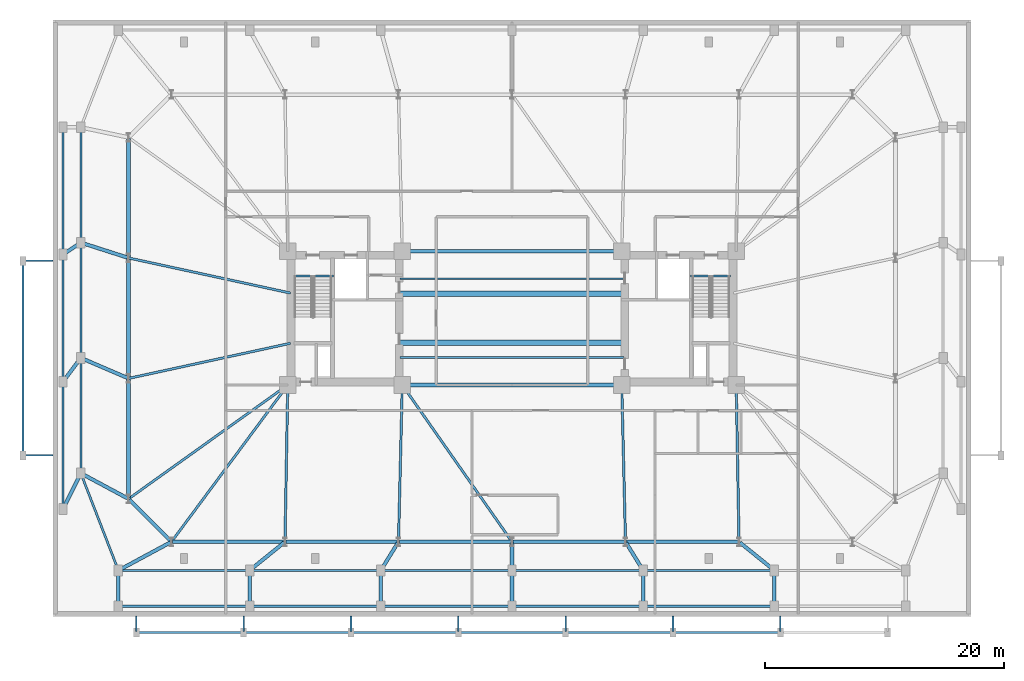
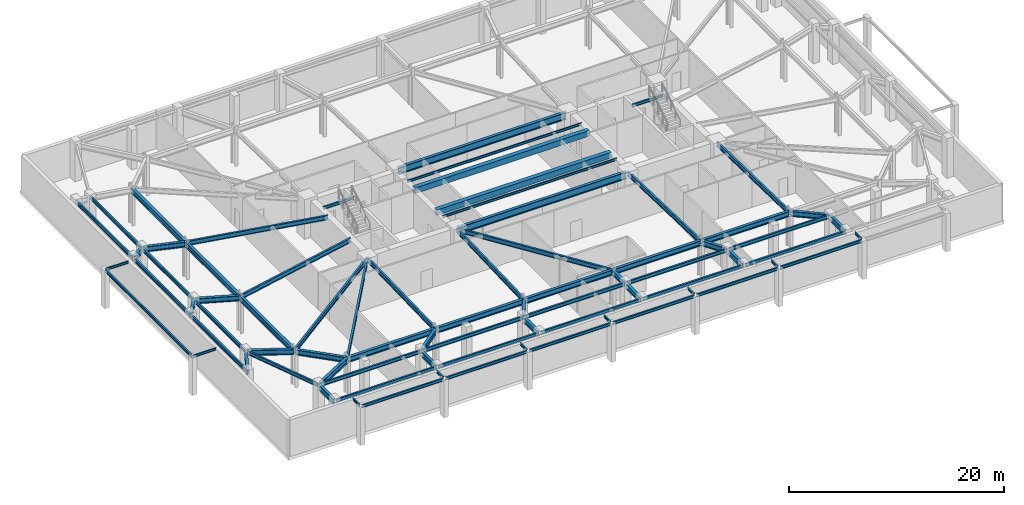
# One storey, part 5 of 14: 77 beams.
"""IFC4 building model written with IfcOpenShell, lengths in metres."""

from ifc_helpers import new_model, si_unit, direction, frame, origin, origin_2d, place, context, subcontext, project, spatial, rectangle, i_section, extrude, material, material_profile, profile_set, type_object, element, save


model = new_model("IFC4")

# Units and contexts
model_context = context("Model", 3, precision=1e-05, world=origin(), true_north=direction((0.0, 1.0)))
body_context = subcontext(model_context, "Body", "Model", "MODEL_VIEW")
ifc_project = project(units=[si_unit("LENGTHUNIT", "METRE"), si_unit("AREAUNIT", "SQUARE_METRE"), si_unit("VOLUMEUNIT", "CUBIC_METRE"), si_unit("PLANEANGLEUNIT", "RADIAN"), si_unit("MASSUNIT", "GRAM", prefix="KILO")], contexts=[model_context])

# Site, building, storey
site_placement = place(None, origin())
site = spatial("IfcSite", under=ifc_project, at=site_placement, CompositionType="ELEMENT")
building_placement = place(site_placement, origin())
building = spatial("IfcBuilding", under=site, at=building_placement, Name="Qobustan Lattice House", CompositionType="ELEMENT")
storey_placement = place(building_placement, frame((0.0, 0.0, -4.5)))
storey = spatial("IfcBuildingStorey", under=building, at=storey_placement, Name="B01", CompositionType="ELEMENT", Elevation=-4.5)

# Beams
ifc_material_1 = material(Name="Steel S355", Category="steel")
ifc_material_profile_1 = material_profile(ifc_material_1, i_section(OverallWidth=0.199951171875, OverallDepth=0.5, WebThickness=0.01025390625, FlangeThickness=0.01611328125, FilletRadius=0.02099609375, at=origin_2d()), Name="IPE500")
ifc_profile_set_1 = profile_set([ifc_material_profile_1], Name="Steel S355")
beam_type_1 = type_object("IfcBeamType", Name="BM-FLG-IPE500", PredefinedType="USERDEFINED", material=ifc_profile_set_1)
beam_1_placement = place(storey_placement, frame((-28.53515625, -18.72998046875, 3.909912109375), z_axis=(0.5955916815, 0.803287338956, 0.0), x_axis=(-0.803287338956, 0.5955916815, 0.0)))
element("IfcBeam", 1, at=beam_1_placement, inside=storey, type_object=beam_type_1, Name="B01 primary floor girder RAD-S1W", ObjectType="GIRDER", PredefinedType="USERDEFINED", context=body_context, shape_type="SweptSolid", body=[
    extrude(i_section(OverallWidth=0.199951171875, OverallDepth=0.5, WebThickness=0.01025390625, FlangeThickness=0.01611328125, FilletRadius=0.02099609375, at=origin_2d()), origin(), (0.0, 0.0, 1.0), 16.3203125),
])
beam_2_placement = place(storey_placement, frame((-19.032958984375, -18.72509765625, 3.909912109375), z_axis=(0.017757831607, 0.999842317276, 0.0), x_axis=(-0.999842317276, 0.017757831607, 0.0)))
element("IfcBeam", 2, at=beam_2_placement, inside=storey, type_object=beam_type_1, Name="B01 primary floor girder RAD-S2", ObjectType="GIRDER", PredefinedType="USERDEFINED", context=body_context, shape_type="SweptSolid", body=[
    extrude(i_section(OverallWidth=0.199951171875, OverallDepth=0.5, WebThickness=0.01025390625, FlangeThickness=0.01611328125, FilletRadius=0.02099609375, at=origin_2d()), origin(), (0.0, 0.0, 1.0), 13.10205078125),
])
beam_3_placement = place(storey_placement, frame((-9.51611328125, -18.72509765625, 3.909912109375), z_axis=(0.024071445657, 0.999710240772, 0.0), x_axis=(-0.999710240772, 0.024071445657, 0.0)))
element("IfcBeam", 3, at=beam_3_placement, inside=storey, type_object=beam_type_1, Name="B01 primary floor girder RAD-S3", ObjectType="GIRDER", PredefinedType="USERDEFINED", context=body_context, shape_type="SweptSolid", body=[
    extrude(i_section(OverallWidth=0.199951171875, OverallDepth=0.5, WebThickness=0.01025390625, FlangeThickness=0.01611328125, FilletRadius=0.02099609375, at=origin_2d()), origin(), (0.0, 0.0, 1.0), 13.10400390625),
])
beam_4_placement = place(storey_placement, frame((-0.014404296875, -18.7294921875, 3.909912109375), z_axis=(-0.57325954206, 0.819373844736, 0.0), x_axis=(-0.819373844736, -0.57325954206, 0.0)))
element("IfcBeam", 4, at=beam_4_placement, inside=storey, type_object=beam_type_1, Name="B01 primary floor girder RAD-S4", ObjectType="GIRDER", PredefinedType="USERDEFINED", context=body_context, shape_type="SweptSolid", body=[
    extrude(i_section(OverallWidth=0.199951171875, OverallDepth=0.5, WebThickness=0.01025390625, FlangeThickness=0.01611328125, FilletRadius=0.02099609375, at=origin_2d()), origin(), (0.0, 0.0, 1.0), 15.998779296875),
])
beam_5_placement = place(storey_placement, frame((9.51611328125, -18.72509765625, 3.909912109375), z_axis=(-0.024071445657, 0.999710240772, 0.0), x_axis=(-0.999710240772, -0.024071445657, 0.0)))
element("IfcBeam", 5, at=beam_5_placement, inside=storey, type_object=beam_type_1, Name="B01 primary floor girder RAD-S5", ObjectType="GIRDER", PredefinedType="USERDEFINED", context=body_context, shape_type="SweptSolid", body=[
    extrude(i_section(OverallWidth=0.199951171875, OverallDepth=0.5, WebThickness=0.01025390625, FlangeThickness=0.01611328125, FilletRadius=0.02099609375, at=origin_2d()), origin(), (0.0, 0.0, 1.0), 13.10400390625),
])
beam_6_placement = place(storey_placement, frame((19.032958984375, -18.72509765625, 3.909912109375), z_axis=(-0.017757831607, 0.999842317276, 0.0), x_axis=(-0.999842317276, -0.017757831607, 0.0)))
element("IfcBeam", 6, at=beam_6_placement, inside=storey, type_object=beam_type_1, Name="B01 primary floor girder RAD-S6", ObjectType="GIRDER", PredefinedType="USERDEFINED", context=body_context, shape_type="SweptSolid", body=[
    extrude(i_section(OverallWidth=0.199951171875, OverallDepth=0.5, WebThickness=0.01025390625, FlangeThickness=0.01611328125, FilletRadius=0.02099609375, at=origin_2d()), origin(), (0.0, 0.0, 1.0), 13.10205078125),
])
for number, where, z_axis, x_axis, name in (
    (7, (-32.12548828125, 5.044677734375, 3.909912109375), (0.97727240275, -0.211987383643, 0.0), (0.211987383643, 0.97727240275, 0.0), "B01 primary floor girder RAD-W2"),
    (8, (-32.12548828125, -5.044677734375, 3.909912109375), (0.97727240275, 0.211987383643, 0.0), (-0.211987383643, 0.97727240275, 0.0), "B01 primary floor girder RAD-W3"),
):
    element("IfcBeam", number, at=place(storey_placement, frame(where, z_axis=z_axis, x_axis=x_axis)), inside=storey, type_object=beam_type_1, Name=name, ObjectType="GIRDER", PredefinedType="USERDEFINED", context=body_context, shape_type="SweptSolid", body=[
        extrude(i_section(OverallWidth=0.199951171875, OverallDepth=0.5, WebThickness=0.01025390625, FlangeThickness=0.01611328125, FilletRadius=0.02099609375, at=origin_2d()), origin(), (0.0, 0.0, 1.0), 13.8662109375),
    ])
beam_7_placement = place(storey_placement, frame((-32.129638671875, -15.135498046875, 3.909912109375), z_axis=(0.813318954893, 0.581818079481, 0.0), x_axis=(-0.581818079481, 0.813318954893, 0.0)))
element("IfcBeam", 9, at=beam_7_placement, inside=storey, type_object=beam_type_1, Name="B01 primary floor girder RAD-W4", ObjectType="GIRDER", PredefinedType="USERDEFINED", context=body_context, shape_type="SweptSolid", body=[
    extrude(i_section(OverallWidth=0.199951171875, OverallDepth=0.5, WebThickness=0.01025390625, FlangeThickness=0.01611328125, FilletRadius=0.02099609375, at=origin_2d()), origin(), (0.0, 0.0, 1.0), 16.3642578125),
])
ifc_material_2 = material(Name="Steel S355", Category="steel")
ifc_material_profile_2 = material_profile(ifc_material_2, i_section(OverallWidth=0.135009765625, OverallDepth=0.27001953125, WebThickness=0.006591796875, FlangeThickness=0.01025390625, FilletRadius=0.014892578125, at=origin_2d()), Name="IPE270")
ifc_profile_set_2 = profile_set([ifc_material_profile_2], Name="Steel S355")
beam_type_2 = type_object("IfcBeamType", Name="BM-JST-IPE270", PredefinedType="JOIST", material=ifc_profile_set_2)
for number, where, z_axis, x_axis, name in (
    (10, (-9.39990234375, -3.300048828125, 4.02490234375), (1.0, 0.0, 0.0), (0.0, 1.0, 0.0), "B01 central span floor joist 1"),
    (11, (-9.39990234375, 3.300048828125, 4.02490234375), (1.0, 0.0, 0.0), (0.0, 1.0, 0.0), "B01 central span floor joist 2"),
):
    element("IfcBeam", number, at=place(storey_placement, frame(where, z_axis=z_axis, x_axis=x_axis)), inside=storey, type_object=beam_type_2, Name=name, PredefinedType="JOIST", context=body_context, shape_type="SweptSolid", body=[
        extrude(i_section(OverallWidth=0.135009765625, OverallDepth=0.27001953125, WebThickness=0.006591796875, FlangeThickness=0.01025390625, FilletRadius=0.014892578125, at=origin_2d()), origin(), (0.0, 0.0, 1.0), 18.7998046875),
    ])
for number, where, z_axis, x_axis, name in (
    (12, (-31.5, -26.25, 4.1650390625), (0.0, 1.0, 0.0), (-1.0, 0.0, 0.0), "B01 colonnade transverse beam 1"),
    (13, (-22.5, -26.25, 4.1650390625), (0.0, 1.0, 0.0), (-1.0, 0.0, 0.0), "B01 colonnade transverse beam 2"),
    (14, (-13.5, -26.25, 4.1650390625), (0.0, 1.0, 0.0), (-1.0, 0.0, 0.0), "B01 colonnade transverse beam 3"),
    (15, (-4.5, -26.25, 4.1650390625), (0.0, 1.0, 0.0), (-1.0, 0.0, 0.0), "B01 colonnade transverse beam 4"),
    (16, (4.5, -26.25, 4.1650390625), (0.0, 1.0, 0.0), (-1.0, 0.0, 0.0), "B01 colonnade transverse beam 5"),
    (17, (13.5, -26.25, 4.1650390625), (0.0, 1.0, 0.0), (-1.0, 0.0, 0.0), "B01 colonnade transverse beam 6"),
    (18, (22.5, -26.25, 4.1650390625), (0.0, 1.0, 0.0), (-1.0, 0.0, 0.0), "B01 colonnade transverse beam 7"),
):
    element("IfcBeam", number, at=place(storey_placement, frame(where, z_axis=z_axis, x_axis=x_axis)), inside=storey, type_object=beam_type_2, Name=name, PredefinedType="JOIST", context=body_context, shape_type="SweptSolid", body=[
        extrude(i_section(OverallWidth=0.135009765625, OverallDepth=0.27001953125, WebThickness=0.006591796875, FlangeThickness=0.01025390625, FilletRadius=0.014892578125, at=origin_2d()), origin(), (0.0, 0.0, 1.0), 1.27001953125),
    ])
for number, where, z_axis, x_axis, name in (
    (19, (-41.0, -11.5, 4.1650390625), (1.0, 0.0, 0.0), (0.0, 1.0, 0.0), "B01 W arrival portico tie beam 1"),
    (20, (-41.0, 4.800048828125, 4.1650390625), (1.0, 0.0, 0.0), (0.0, 1.0, 0.0), "B01 W arrival portico tie beam 2"),
):
    element("IfcBeam", number, at=place(storey_placement, frame(where, z_axis=z_axis, x_axis=x_axis)), inside=storey, type_object=beam_type_2, Name=name, PredefinedType="JOIST", context=body_context, shape_type="SweptSolid", body=[
        extrude(i_section(OverallWidth=0.135009765625, OverallDepth=0.27001953125, WebThickness=0.006591796875, FlangeThickness=0.01025390625, FilletRadius=0.014892578125, at=origin_2d()), origin(), (0.0, 0.0, 1.0), 2.52001953125),
    ])
ifc_material_3 = material(Name="Concrete C50/60", Category="concrete")
ifc_material_profile_3 = material_profile(ifc_material_3, rectangle(XDim=0.449951171875, YDim=0.64990234375, at=origin_2d()), Name="RC450x650")
ifc_profile_set_3 = profile_set([ifc_material_profile_3], Name="Concrete C50/60")
beam_type_3 = type_object("IfcBeamType", Name="BM-LINTEL-450x650", PredefinedType="LINTEL", material=ifc_profile_set_3)
for number, where, z_axis, x_axis, name in (
    (21, (-9.39990234375, -2.050048828125, 3.8349609375), (1.0, 0.0, 0.0), (0.0, 1.0, 0.0), "B01 reinforced concrete portal lintel LN-W1"),
    (22, (-9.39990234375, 2.050048828125, 3.8349609375), (1.0, 0.0, 0.0), (0.0, 1.0, 0.0), "B01 reinforced concrete portal lintel LN-E1"),
):
    element("IfcBeam", number, at=place(storey_placement, frame(where, z_axis=z_axis, x_axis=x_axis)), inside=storey, type_object=beam_type_3, Name=name, PredefinedType="LINTEL", context=body_context, shape_type="SweptSolid", body=[
        extrude(rectangle(XDim=0.449951171875, YDim=0.64990234375, at=origin_2d()), origin(), (0.0, 0.0, 1.0), 18.7998046875),
    ])
ifc_material_4 = material(Name="Steel S355", Category="steel")
ifc_material_profile_4 = material_profile(ifc_material_4, i_section(OverallWidth=0.300048828125, OverallDepth=0.60009765625, WebThickness=0.015380859375, FlangeThickness=0.030029296875, FilletRadius=0.027099609375, at=origin_2d()), Name="HEB600")
ifc_profile_set_4 = profile_set([ifc_material_profile_4], Name="Steel S355")
beam_type_4 = type_object("IfcBeamType", Name="BM-POD-HEB600", PredefinedType="USERDEFINED", material=ifc_profile_set_4)
for number, where, z_axis, x_axis, name in (
    (23, (-33.0, -24.030029296875, 3.860107421875), (0.0, 1.0, 0.0), (-1.0, 0.0, 0.0), "B01 south terrace tie girder 1"),
    (24, (-22.0, -24.030029296875, 3.860107421875), (0.0, 1.0, 0.0), (-1.0, 0.0, 0.0), "B01 south terrace tie girder 2"),
    (25, (-11.0, -24.030029296875, 3.860107421875), (0.0, 1.0, 0.0), (-1.0, 0.0, 0.0), "B01 south terrace tie girder 3"),
    (26, (0.0, -24.030029296875, 3.860107421875), (0.0, 1.0, 0.0), (-1.0, 0.0, 0.0), "B01 south terrace tie girder 4"),
    (27, (11.0, -24.030029296875, 3.860107421875), (0.0, 1.0, 0.0), (-1.0, 0.0, 0.0), "B01 south terrace tie girder 5"),
    (28, (22.0, -24.030029296875, 3.860107421875), (0.0, 1.0, 0.0), (-1.0, 0.0, 0.0), "B01 south terrace tie girder 6"),
):
    element("IfcBeam", number, at=place(storey_placement, frame(where, z_axis=z_axis, x_axis=x_axis)), inside=storey, type_object=beam_type_4, Name=name, ObjectType="GIRDER", PredefinedType="USERDEFINED", context=body_context, shape_type="SweptSolid", body=[
        extrude(i_section(OverallWidth=0.300048828125, OverallDepth=0.60009765625, WebThickness=0.015380859375, FlangeThickness=0.030029296875, FilletRadius=0.027099609375, at=origin_2d()), origin(), (0.0, 0.0, 1.0), 2.760009765625),
    ])
beam_8_placement = place(storey_placement, frame((-37.59619140625, -15.892578125, 3.860107421875), z_axis=(0.4472135955, 0.894427191, 0.0), x_axis=(-0.894427191, 0.4472135955, 0.0)))
element("IfcBeam", 29, at=beam_8_placement, inside=storey, type_object=beam_type_4, Name="B01 setback tie girder PWL1", ObjectType="GIRDER", PredefinedType="USERDEFINED", context=body_context, shape_type="SweptSolid", body=[
    extrude(i_section(OverallWidth=0.300048828125, OverallDepth=0.60009765625, WebThickness=0.015380859375, FlangeThickness=0.030029296875, FilletRadius=0.027099609375, at=origin_2d()), origin(), (0.0, 0.0, 1.0), 3.114013671875),
])
beam_9_placement = place(storey_placement, frame((-37.577880859375, -5.2373046875, 3.860107421875), z_axis=(0.599965431752, 0.800025925019, 0.0), x_axis=(-0.800025925019, 0.599965431752, 0.0)))
element("IfcBeam", 30, at=beam_9_placement, inside=storey, type_object=beam_type_4, Name="B01 setback tie girder PWL2", ObjectType="GIRDER", PredefinedType="USERDEFINED", context=body_context, shape_type="SweptSolid", body=[
    extrude(i_section(OverallWidth=0.300048828125, OverallDepth=0.60009765625, WebThickness=0.015380859375, FlangeThickness=0.030029296875, FilletRadius=0.027099609375, at=origin_2d()), origin(), (0.0, 0.0, 1.0), 2.260009765625),
])
beam_10_placement = place(storey_placement, frame((-37.55029296875, 5.39990234375, 3.860107421875), z_axis=(0.832074324237, 0.554664149684, 0.0), x_axis=(-0.554664149684, 0.832074324237, 0.0)))
element("IfcBeam", 31, at=beam_10_placement, inside=storey, type_object=beam_type_4, Name="B01 setback tie girder PWL3", ObjectType="GIRDER", PredefinedType="USERDEFINED", context=body_context, shape_type="SweptSolid", body=[
    extrude(i_section(OverallWidth=0.300048828125, OverallDepth=0.60009765625, WebThickness=0.015380859375, FlangeThickness=0.030029296875, FilletRadius=0.027099609375, at=origin_2d()), origin(), (0.0, 0.0, 1.0), 1.56298828125),
])
for number, where, z_axis, x_axis, name in (
    (32, (-28.449951171875, -18.75, 3.860107421875), (1.0, 0.0, 0.0), (0.0, 1.0, 0.0), "B01 tower base ring girder S1-S2"),
    (33, (-18.933349609375, -18.75, 3.860107421875), (1.0, 0.0, 0.0), (0.0, 1.0, 0.0), "B01 tower base ring girder S2-S3"),
    (34, (-9.416748046875, -18.75, 3.860107421875), (1.0, 0.0, 0.0), (0.0, 1.0, 0.0), "B01 tower base ring girder S3-S4"),
    (35, (0.10009765625, -18.75, 3.860107421875), (1.0, 0.0, 0.0), (0.0, 1.0, 0.0), "B01 tower base ring girder S4-S5"),
    (36, (9.61669921875, -18.75, 3.860107421875), (1.0, 0.0, 0.0), (0.0, 1.0, 0.0), "B01 tower base ring girder S5-S6"),
):
    element("IfcBeam", number, at=place(storey_placement, frame(where, z_axis=z_axis, x_axis=x_axis)), inside=storey, type_object=beam_type_4, Name=name, ObjectType="GIRDER", PredefinedType="USERDEFINED", context=body_context, shape_type="SweptSolid", body=[
        extrude(i_section(OverallWidth=0.300048828125, OverallDepth=0.60009765625, WebThickness=0.015380859375, FlangeThickness=0.030029296875, FilletRadius=0.027099609375, at=origin_2d()), origin(), (0.0, 0.0, 1.0), 9.316650390625),
    ])
beam_11_placement = place(storey_placement, frame((-32.14990234375, 15.050048828125, 3.860107421875), z_axis=(0.0, -1.0, 0.0), x_axis=(1.0, 0.0, 0.0)))
element("IfcBeam", 37, at=beam_11_placement, inside=storey, type_object=beam_type_4, Name="B01 tower base ring girder W1-W2", ObjectType="GIRDER", PredefinedType="USERDEFINED", context=body_context, shape_type="SweptSolid", body=[
    extrude(i_section(OverallWidth=0.300048828125, OverallDepth=0.60009765625, WebThickness=0.015380859375, FlangeThickness=0.030029296875, FilletRadius=0.027099609375, at=origin_2d()), origin(), (0.0, 0.0, 1.0), 9.900146484375),
])
beam_12_placement = place(storey_placement, frame((-32.14990234375, 4.949951171875, 3.860107421875), z_axis=(0.0, -1.0, 0.0), x_axis=(1.0, 0.0, 0.0)))
element("IfcBeam", 38, at=beam_12_placement, inside=storey, type_object=beam_type_4, Name="B01 tower base ring girder W2-W3", ObjectType="GIRDER", PredefinedType="USERDEFINED", context=body_context, shape_type="SweptSolid", body=[
    extrude(i_section(OverallWidth=0.300048828125, OverallDepth=0.60009765625, WebThickness=0.015380859375, FlangeThickness=0.030029296875, FilletRadius=0.027099609375, at=origin_2d()), origin(), (0.0, 0.0, 1.0), 9.89990234375),
])
beam_13_placement = place(storey_placement, frame((-32.14990234375, -5.14990234375, 3.860107421875), z_axis=(0.0, -1.0, 0.0), x_axis=(1.0, 0.0, 0.0)))
element("IfcBeam", 39, at=beam_13_placement, inside=storey, type_object=beam_type_4, Name="B01 tower base ring girder W3-W4", ObjectType="GIRDER", PredefinedType="USERDEFINED", context=body_context, shape_type="SweptSolid", body=[
    extrude(i_section(OverallWidth=0.300048828125, OverallDepth=0.60009765625, WebThickness=0.015380859375, FlangeThickness=0.030029296875, FilletRadius=0.027099609375, at=origin_2d()), origin(), (0.0, 0.0, 1.0), 9.900146484375),
])
beam_14_placement = place(storey_placement, frame((-32.079345703125, -15.220703125, 3.860107421875), z_axis=(0.70713173775, -0.707081823743, 0.0), x_axis=(0.707081823743, 0.70713173775, 0.0)))
element("IfcBeam", 40, at=beam_14_placement, inside=storey, type_object=beam_type_4, Name="B01 tower base ring girder W4-S1", ObjectType="GIRDER", PredefinedType="USERDEFINED", context=body_context, shape_type="SweptSolid", body=[
    extrude(i_section(OverallWidth=0.300048828125, OverallDepth=0.60009765625, WebThickness=0.015380859375, FlangeThickness=0.030029296875, FilletRadius=0.027099609375, at=origin_2d()), origin(), (0.0, 0.0, 1.0), 4.89111328125),
])
beam_15_placement = place(storey_placement, frame((-32.894287109375, -21.093017578125, 3.860107421875), z_axis=(0.88016615165, 0.474665719732, 0.0), x_axis=(-0.474665719732, 0.88016615165, 0.0)))
element("IfcBeam", 41, at=beam_15_placement, inside=storey, type_object=beam_type_4, Name="B01 podium radial girder PS1", ObjectType="GIRDER", PredefinedType="USERDEFINED", context=body_context, shape_type="SweptSolid", body=[
    extrude(i_section(OverallWidth=0.300048828125, OverallDepth=0.60009765625, WebThickness=0.015380859375, FlangeThickness=0.030029296875, FilletRadius=0.027099609375, at=origin_2d()), origin(), (0.0, 0.0, 1.0), 4.8359375),
])
beam_16_placement = place(storey_placement, frame((-21.90673828125, -21.074462890625, 3.860107421875), z_axis=(0.777472502595, 0.62891693228, 0.0), x_axis=(-0.62891693228, 0.777472502595, 0.0)))
element("IfcBeam", 42, at=beam_16_placement, inside=storey, type_object=beam_type_4, Name="B01 podium radial girder PS2", ObjectType="GIRDER", PredefinedType="USERDEFINED", context=body_context, shape_type="SweptSolid", body=[
    extrude(i_section(OverallWidth=0.300048828125, OverallDepth=0.60009765625, WebThickness=0.015380859375, FlangeThickness=0.030029296875, FilletRadius=0.027099609375, at=origin_2d()), origin(), (0.0, 0.0, 1.0), 3.595703125),
])
beam_17_placement = place(storey_placement, frame((-10.93701171875, -21.0478515625, 3.860107421875), z_axis=(0.525782588011, 0.850618992349, 0.0), x_axis=(-0.850618992349, 0.525782588011, 0.0)))
element("IfcBeam", 43, at=beam_17_placement, inside=storey, type_object=beam_type_4, Name="B01 podium radial girder PS3", ObjectType="GIRDER", PredefinedType="USERDEFINED", context=body_context, shape_type="SweptSolid", body=[
    extrude(i_section(OverallWidth=0.300048828125, OverallDepth=0.60009765625, WebThickness=0.015380859375, FlangeThickness=0.030029296875, FilletRadius=0.027099609375, at=origin_2d()), origin(), (0.0, 0.0, 1.0), 2.601318359375),
])
beam_18_placement = place(storey_placement, frame((0.0, -21.030029296875, 3.860107421875), z_axis=(0.0, 1.0, 0.0), x_axis=(-1.0, 0.0, 0.0)))
element("IfcBeam", 44, at=beam_18_placement, inside=storey, type_object=beam_type_4, Name="B01 podium radial girder PS4", ObjectType="GIRDER", PredefinedType="USERDEFINED", context=body_context, shape_type="SweptSolid", body=[
    extrude(i_section(OverallWidth=0.300048828125, OverallDepth=0.60009765625, WebThickness=0.015380859375, FlangeThickness=0.030029296875, FilletRadius=0.027099609375, at=origin_2d()), origin(), (0.0, 0.0, 1.0), 2.179931640625),
])
beam_19_placement = place(storey_placement, frame((10.93701171875, -21.0478515625, 3.860107421875), z_axis=(-0.525782588011, 0.850618992349, 0.0), x_axis=(-0.850618992349, -0.525782588011, 0.0)))
element("IfcBeam", 45, at=beam_19_placement, inside=storey, type_object=beam_type_4, Name="B01 podium radial girder PS5", ObjectType="GIRDER", PredefinedType="USERDEFINED", context=body_context, shape_type="SweptSolid", body=[
    extrude(i_section(OverallWidth=0.300048828125, OverallDepth=0.60009765625, WebThickness=0.015380859375, FlangeThickness=0.030029296875, FilletRadius=0.027099609375, at=origin_2d()), origin(), (0.0, 0.0, 1.0), 2.601318359375),
])
beam_20_placement = place(storey_placement, frame((21.90673828125, -21.074462890625, 3.860107421875), z_axis=(-0.777472502595, 0.62891693228, 0.0), x_axis=(-0.62891693228, -0.777472502595, 0.0)))
element("IfcBeam", 46, at=beam_20_placement, inside=storey, type_object=beam_type_4, Name="B01 podium radial girder PS6", ObjectType="GIRDER", PredefinedType="USERDEFINED", context=body_context, shape_type="SweptSolid", body=[
    extrude(i_section(OverallWidth=0.300048828125, OverallDepth=0.60009765625, WebThickness=0.015380859375, FlangeThickness=0.030029296875, FilletRadius=0.027099609375, at=origin_2d()), origin(), (0.0, 0.0, 1.0), 3.595703125),
])
beam_21_placement = place(storey_placement, frame((-36.044189453125, -13.056884765625, 3.860107421875), z_axis=(0.880815561441, -0.473459551307, 0.0), x_axis=(0.473459551307, 0.880815561441, 0.0)))
element("IfcBeam", 47, at=beam_21_placement, inside=storey, type_object=beam_type_4, Name="B01 podium radial girder PW1", ObjectType="GIRDER", PredefinedType="USERDEFINED", context=body_context, shape_type="SweptSolid", body=[
    extrude(i_section(OverallWidth=0.300048828125, OverallDepth=0.60009765625, WebThickness=0.015380859375, FlangeThickness=0.030029296875, FilletRadius=0.027099609375, at=origin_2d()), origin(), (0.0, 0.0, 1.0), 4.3212890625),
])
beam_22_placement = place(storey_placement, frame((-36.039794921875, -3.380615234375, 3.860107421875), z_axis=(0.918949362679, -0.394375542893, 0.0), x_axis=(0.394375542893, 0.918949362679, 0.0)))
element("IfcBeam", 48, at=beam_22_placement, inside=storey, type_object=beam_type_4, Name="B01 podium radial girder PW2", ObjectType="GIRDER", PredefinedType="USERDEFINED", context=body_context, shape_type="SweptSolid", body=[
    extrude(i_section(OverallWidth=0.300048828125, OverallDepth=0.60009765625, WebThickness=0.015380859375, FlangeThickness=0.030029296875, FilletRadius=0.027099609375, at=origin_2d()), origin(), (0.0, 0.0, 1.0), 4.1328125),
])
beam_23_placement = place(storey_placement, frame((-36.03564453125, 6.296630859375, 3.860107421875), z_axis=(0.952198151545, -0.305481063561, 0.0), x_axis=(0.305481063561, 0.952198151545, 0.0)))
element("IfcBeam", 49, at=beam_23_placement, inside=storey, type_object=beam_type_4, Name="B01 podium radial girder PW3", ObjectType="GIRDER", PredefinedType="USERDEFINED", context=body_context, shape_type="SweptSolid", body=[
    extrude(i_section(OverallWidth=0.300048828125, OverallDepth=0.60009765625, WebThickness=0.015380859375, FlangeThickness=0.030029296875, FilletRadius=0.027099609375, at=origin_2d()), origin(), (0.0, 0.0, 1.0), 3.980712890625),
])
ifc_material_5 = material(Name="Steel S355", Category="steel")
ifc_material_profile_5 = material_profile(ifc_material_5, i_section(OverallWidth=0.159912109375, OverallDepth=0.330078125, WebThickness=0.007568359375, FlangeThickness=0.011474609375, FilletRadius=0.01806640625, at=origin_2d()), Name="IPE330")
ifc_profile_set_5 = profile_set([ifc_material_profile_5], Name="Steel S355")
beam_type_5 = type_object("IfcBeamType", Name="BM-SPD-IPE330", PredefinedType="SPANDREL", material=ifc_profile_set_5)
for number, where, z_axis, x_axis, name in (
    (50, (-18.300048828125, 3.52001953125, 3.9951171875), (1.0, 0.0, 0.0), (0.0, 1.0, 0.0), "B01 west stair landing trimmer beam"),
    (51, (14.949951171875, 3.52001953125, 3.9951171875), (1.0, 0.0, 0.0), (0.0, 1.0, 0.0), "B01 east stair landing trimmer beam"),
):
    element("IfcBeam", number, at=place(storey_placement, frame(where, z_axis=z_axis, x_axis=x_axis)), inside=storey, type_object=beam_type_5, Name=name, PredefinedType="SPANDREL", context=body_context, shape_type="SweptSolid", body=[
        extrude(i_section(OverallWidth=0.159912109375, OverallDepth=0.330078125, WebThickness=0.007568359375, FlangeThickness=0.011474609375, FilletRadius=0.01806640625, at=origin_2d()), origin(), (0.0, 0.0, 1.0), 3.35009765625),
    ])
for number, where, z_axis, x_axis, name in (
    (52, (-31.3798828125, -26.35009765625, 4.135009765625), (1.0, 0.0, 0.0), (0.0, 1.0, 0.0), "B01 colonnade edge beam 1"),
    (53, (-22.3798828125, -26.35009765625, 4.135009765625), (1.0, 0.0, 0.0), (0.0, 1.0, 0.0), "B01 colonnade edge beam 2"),
    (54, (-13.3798828125, -26.35009765625, 4.135009765625), (1.0, 0.0, 0.0), (0.0, 1.0, 0.0), "B01 colonnade edge beam 3"),
    (55, (-4.3798828125, -26.35009765625, 4.135009765625), (1.0, 0.0, 0.0), (0.0, 1.0, 0.0), "B01 colonnade edge beam 4"),
    (56, (4.6201171875, -26.35009765625, 4.135009765625), (1.0, 0.0, 0.0), (0.0, 1.0, 0.0), "B01 colonnade edge beam 5"),
    (57, (13.6201171875, -26.35009765625, 4.135009765625), (1.0, 0.0, 0.0), (0.0, 1.0, 0.0), "B01 colonnade edge beam 6"),
):
    element("IfcBeam", number, at=place(storey_placement, frame(where, z_axis=z_axis, x_axis=x_axis)), inside=storey, type_object=beam_type_5, Name=name, PredefinedType="SPANDREL", context=body_context, shape_type="SweptSolid", body=[
        extrude(i_section(OverallWidth=0.159912109375, OverallDepth=0.330078125, WebThickness=0.007568359375, FlangeThickness=0.011474609375, FilletRadius=0.01806640625, at=origin_2d()), origin(), (0.0, 0.0, 1.0), 8.759765625),
    ])
beam_24_placement = place(storey_placement, frame((-41.0, -11.39990234375, 4.135009765625), z_axis=(0.0, 1.0, 0.0), x_axis=(-1.0, 0.0, 0.0)))
element("IfcBeam", 58, at=beam_24_placement, inside=storey, type_object=beam_type_5, Name="B01 W arrival portico edge beam", PredefinedType="SPANDREL", context=body_context, shape_type="SweptSolid", body=[
    extrude(i_section(OverallWidth=0.159912109375, OverallDepth=0.330078125, WebThickness=0.007568359375, FlangeThickness=0.011474609375, FilletRadius=0.01806640625, at=origin_2d()), origin(), (0.0, 0.0, 1.0), 16.099853515625),
])
ifc_material_6 = material(Name="Steel S355", Category="steel")
ifc_material_profile_6 = material_profile(ifc_material_6, i_section(OverallWidth=0.179931640625, OverallDepth=0.39990234375, WebThickness=0.008544921875, FlangeThickness=0.013427734375, FilletRadius=0.02099609375, at=origin_2d()), Name="IPE400")
ifc_profile_set_6 = profile_set([ifc_material_profile_6], Name="Steel S355")
beam_type_6 = type_object("IfcBeamType", Name="BM-SPD-IPE400", PredefinedType="SPANDREL", material=ifc_profile_set_6)
for number, where, z_axis, x_axis, name in (
    (59, (-32.8798828125, -21.14990234375, 3.9599609375), (1.0, 0.0, 0.0), (0.0, 1.0, 0.0), "B01 podium spandrel PS1-PS2"),
    (60, (-21.8798828125, -21.14990234375, 3.9599609375), (1.0, 0.0, 0.0), (0.0, 1.0, 0.0), "B01 podium spandrel PS2-PS3"),
    (61, (-10.8798828125, -21.14990234375, 3.9599609375), (1.0, 0.0, 0.0), (0.0, 1.0, 0.0), "B01 podium spandrel PS3-PS4"),
    (62, (0.1201171875, -21.14990234375, 3.9599609375), (1.0, 0.0, 0.0), (0.0, 1.0, 0.0), "B01 podium spandrel PS4-PS5"),
    (63, (11.1201171875, -21.14990234375, 3.9599609375), (1.0, 0.0, 0.0), (0.0, 1.0, 0.0), "B01 podium spandrel PS5-PS6"),
):
    element("IfcBeam", number, at=place(storey_placement, frame(where, z_axis=z_axis, x_axis=x_axis)), inside=storey, type_object=beam_type_6, Name=name, PredefinedType="SPANDREL", context=body_context, shape_type="SweptSolid", body=[
        extrude(i_section(OverallWidth=0.179931640625, OverallDepth=0.39990234375, WebThickness=0.008544921875, FlangeThickness=0.013427734375, FilletRadius=0.02099609375, at=origin_2d()), origin(), (0.0, 0.0, 1.0), 10.759765625),
    ])
beam_25_placement = place(storey_placement, frame((-36.14990234375, -12.8798828125, 3.9599609375), z_axis=(0.0, 1.0, 0.0), x_axis=(-1.0, 0.0, 0.0)))
element("IfcBeam", 64, at=beam_25_placement, inside=storey, type_object=beam_type_6, Name="B01 podium spandrel PW1-PW2", PredefinedType="SPANDREL", context=body_context, shape_type="SweptSolid", body=[
    extrude(i_section(OverallWidth=0.179931640625, OverallDepth=0.39990234375, WebThickness=0.008544921875, FlangeThickness=0.013427734375, FilletRadius=0.02099609375, at=origin_2d()), origin(), (0.0, 0.0, 1.0), 9.426513671875),
])
for number, where, z_axis, x_axis, name in (
    (65, (-36.14990234375, -3.21337890625, 3.9599609375), (0.0, 1.0, 0.0), (-1.0, 0.0, 0.0), "B01 podium spandrel PW2-PW3"),
    (66, (-36.14990234375, 6.453369140625, 3.9599609375), (0.0, 1.0, 0.0), (-1.0, 0.0, 0.0), "B01 podium spandrel PW3-PW4"),
):
    element("IfcBeam", number, at=place(storey_placement, frame(where, z_axis=z_axis, x_axis=x_axis)), inside=storey, type_object=beam_type_6, Name=name, PredefinedType="SPANDREL", context=body_context, shape_type="SweptSolid", body=[
        extrude(i_section(OverallWidth=0.179931640625, OverallDepth=0.39990234375, WebThickness=0.008544921875, FlangeThickness=0.013427734375, FilletRadius=0.02099609375, at=origin_2d()), origin(), (0.0, 0.0, 1.0), 9.4267578125),
    ])
beam_26_placement = place(storey_placement, frame((-33.043212890625, -21.0380859375, 3.9599609375), z_axis=(-0.360507225068, 0.93275642087, 0.0), x_axis=(-0.93275642087, -0.360507225068, 0.0)))
element("IfcBeam", 67, at=beam_26_placement, inside=storey, type_object=beam_type_6, Name="B01 podium corner tie PS1-PW1", PredefinedType="SPANDREL", context=body_context, shape_type="SweptSolid", body=[
    extrude(i_section(OverallWidth=0.179931640625, OverallDepth=0.39990234375, WebThickness=0.008544921875, FlangeThickness=0.013427734375, FilletRadius=0.02099609375, at=origin_2d()), origin(), (0.0, 0.0, 1.0), 8.497802734375),
])
for number, where, z_axis, x_axis, name in (
    (68, (-32.8798828125, -24.14990234375, 3.9599609375), (1.0, 0.0, 0.0), (0.0, 1.0, 0.0), "B01 lower podium spandrel PSL1-PSL2"),
    (69, (-21.8798828125, -24.14990234375, 3.9599609375), (1.0, 0.0, 0.0), (0.0, 1.0, 0.0), "B01 lower podium spandrel PSL2-PSL3"),
    (70, (-10.8798828125, -24.14990234375, 3.9599609375), (1.0, 0.0, 0.0), (0.0, 1.0, 0.0), "B01 lower podium spandrel PSL3-PSL4"),
    (71, (0.1201171875, -24.14990234375, 3.9599609375), (1.0, 0.0, 0.0), (0.0, 1.0, 0.0), "B01 lower podium spandrel PSL4-PSL5"),
    (72, (11.1201171875, -24.14990234375, 3.9599609375), (1.0, 0.0, 0.0), (0.0, 1.0, 0.0), "B01 lower podium spandrel PSL5-PSL6"),
):
    element("IfcBeam", number, at=place(storey_placement, frame(where, z_axis=z_axis, x_axis=x_axis)), inside=storey, type_object=beam_type_6, Name=name, PredefinedType="SPANDREL", context=body_context, shape_type="SweptSolid", body=[
        extrude(i_section(OverallWidth=0.179931640625, OverallDepth=0.39990234375, WebThickness=0.008544921875, FlangeThickness=0.013427734375, FilletRadius=0.02099609375, at=origin_2d()), origin(), (0.0, 0.0, 1.0), 10.759765625),
    ])
beam_27_placement = place(storey_placement, frame((-37.64990234375, -15.8798828125, 3.9599609375), z_axis=(0.0, 1.0, 0.0), x_axis=(-1.0, 0.0, 0.0)))
element("IfcBeam", 73, at=beam_27_placement, inside=storey, type_object=beam_type_6, Name="B01 lower podium spandrel PWL1-PWL2", PredefinedType="SPANDREL", context=body_context, shape_type="SweptSolid", body=[
    extrude(i_section(OverallWidth=0.179931640625, OverallDepth=0.39990234375, WebThickness=0.008544921875, FlangeThickness=0.013427734375, FilletRadius=0.02099609375, at=origin_2d()), origin(), (0.0, 0.0, 1.0), 10.426513671875),
])
for number, where, z_axis, x_axis, name in (
    (74, (-37.64990234375, -5.21337890625, 3.9599609375), (0.0, 1.0, 0.0), (-1.0, 0.0, 0.0), "B01 lower podium spandrel PWL2-PWL3"),
    (75, (-37.64990234375, 5.453369140625, 3.9599609375), (0.0, 1.0, 0.0), (-1.0, 0.0, 0.0), "B01 lower podium spandrel PWL3-PWL4"),
):
    element("IfcBeam", number, at=place(storey_placement, frame(where, z_axis=z_axis, x_axis=x_axis)), inside=storey, type_object=beam_type_6, Name=name, PredefinedType="SPANDREL", context=body_context, shape_type="SweptSolid", body=[
        extrude(i_section(OverallWidth=0.179931640625, OverallDepth=0.39990234375, WebThickness=0.008544921875, FlangeThickness=0.013427734375, FilletRadius=0.02099609375, at=origin_2d()), origin(), (0.0, 0.0, 1.0), 10.4267578125),
    ])
ifc_material_7 = material(Name="Steel S355", Category="steel")
ifc_material_profile_7 = material_profile(ifc_material_7, i_section(OverallWidth=0.302978515625, OverallDepth=0.81396484375, WebThickness=0.02099609375, FlangeThickness=0.0400390625, FilletRadius=0.030029296875, at=origin_2d()), Name="HEM800")
ifc_profile_set_7 = profile_set([ifc_material_profile_7], Name="Steel S355")
beam_type_7 = type_object("IfcBeamType", Name="BM-SUB-HEM800", PredefinedType="USERDEFINED", material=ifc_profile_set_7)
for number, where, z_axis, x_axis, name in (
    (76, (-9.050048828125, -5.60009765625, 3.7529296875), (1.0, 0.0, 0.0), (0.0, 1.0, 0.0), "B01 core spine girder CG-CS"),
    (77, (-9.050048828125, 5.60009765625, 3.7529296875), (1.0, 0.0, 0.0), (0.0, 1.0, 0.0), "B01 core spine girder CG-CN"),
):
    element("IfcBeam", number, at=place(storey_placement, frame(where, z_axis=z_axis, x_axis=x_axis)), inside=storey, type_object=beam_type_7, Name=name, ObjectType="GIRDER", PredefinedType="USERDEFINED", context=body_context, shape_type="SweptSolid", body=[
        extrude(i_section(OverallWidth=0.302978515625, OverallDepth=0.81396484375, WebThickness=0.02099609375, FlangeThickness=0.0400390625, FilletRadius=0.030029296875, at=origin_2d()), origin(), (0.0, 0.0, 1.0), 18.10009765625),
    ])

save(model, "model.ifc")
